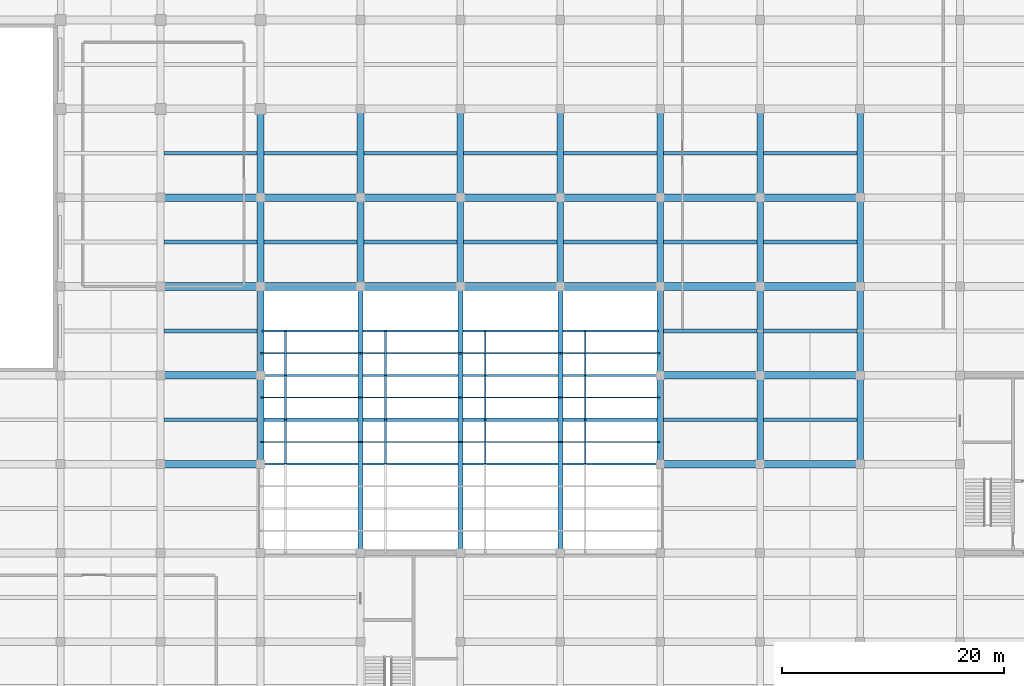
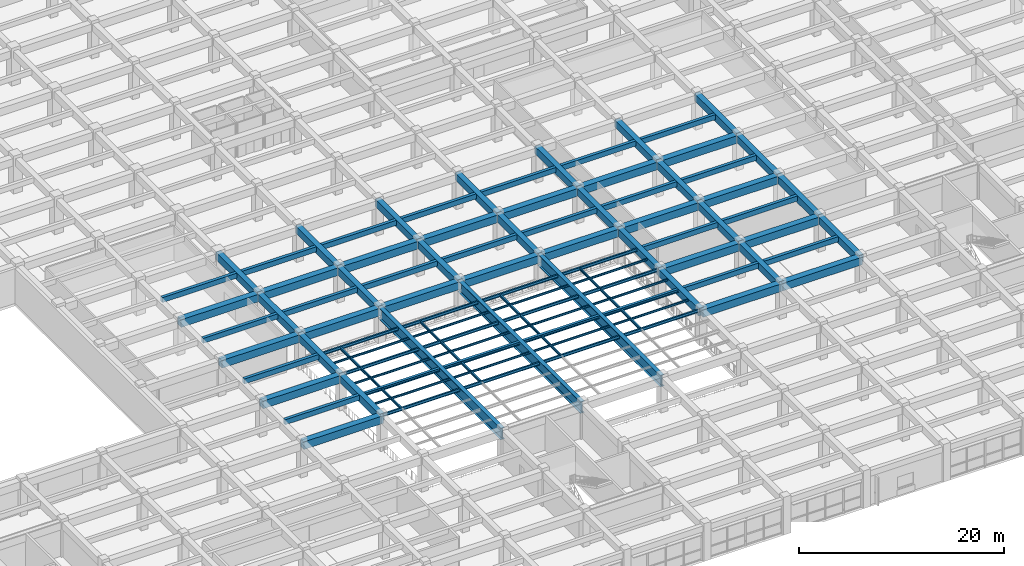
# One storey, part 12 of 50: 81 beams, 24 members.
"""IFC4 building model written with IfcOpenShell, lengths in metres."""

from ifc_helpers import new_model, si_unit, direction, frame, origin, origin_2d, place, context, subcontext, project, spatial, rectangle, i_section, extrude, material, material_profile, profile_set, type_object, element, save


model = new_model("IFC4")

# Units and contexts
model_context = context("Model", 3, precision=1e-05, world=origin(), true_north=direction((0.0, 1.0)))
body_context = subcontext(model_context, "Body", "Model", "MODEL_VIEW")
ifc_project = project(units=[si_unit("LENGTHUNIT", "METRE"), si_unit("AREAUNIT", "SQUARE_METRE"), si_unit("VOLUMEUNIT", "CUBIC_METRE"), si_unit("PLANEANGLEUNIT", "RADIAN"), si_unit("MASSUNIT", "GRAM", prefix="KILO")], contexts=[model_context])

# Site, building, storey
site_placement = place(None, origin())
site = spatial("IfcSite", under=ifc_project, at=site_placement, CompositionType="ELEMENT")
building_placement = place(site_placement, origin())
building = spatial("IfcBuilding", under=site, at=building_placement, Name="Zaverband Oceanarium and Marine Research Institute", CompositionType="ELEMENT")
storey_placement = place(building_placement, frame((0.0, 0.0, 9.0)))
storey = spatial("IfcBuildingStorey", under=building, at=storey_placement, Name="L02", CompositionType="ELEMENT", Elevation=9.0)

# Beams
ifc_material_1 = material(Name="Concrete C40/50", Category="concrete")
ifc_material_profile_1 = material_profile(ifc_material_1, rectangle(XDim=0.60009765625, YDim=0.85009765625, at=origin_2d()), Name="RC600x850")
ifc_profile_set_1 = profile_set([ifc_material_profile_1], Name="Concrete C40/50")
beam_type_1 = type_object("IfcBeamType", Name="BM-600x850", PredefinedType="BEAM", material=ifc_profile_set_1)
for number, where, z_axis, x_axis, name in (
    (1, (72.0, 32.0, 3.715087890625), (0.0, 1.0, 0.0), (-1.0, 0.0, 0.0), "Primary floor girder BM-600x850"),
    (2, (72.0, 40.0, 3.715087890625), (0.0, 1.0, 0.0), (-1.0, 0.0, 0.0), "Primary floor girder BM-600x850"),
    (3, (72.0, 48.0, 3.715087890625), (0.0, 1.0, 0.0), (-1.0, 0.0, 0.0), "Primary floor girder BM-600x850"),
    (4, (72.0, 56.0, 3.715087890625), (0.0, 1.0, 0.0), (-1.0, 0.0, 0.0), "Primary floor girder BM-600x850"),
    (5, (81.0, 48.0, 3.715087890625), (0.0, 1.0, 0.0), (-1.0, 0.0, 0.0), "Primary floor girder BM-600x850"),
    (6, (81.0, 56.0, 3.715087890625), (0.0, 1.0, 0.0), (-1.0, 0.0, 0.0), "Primary floor girder BM-600x850"),
    (7, (90.0, 48.0, 3.715087890625), (0.0, 1.0, 0.0), (-1.0, 0.0, 0.0), "Primary floor girder BM-600x850"),
    (8, (90.0, 56.0, 3.715087890625), (0.0, 1.0, 0.0), (-1.0, 0.0, 0.0), "Primary floor girder BM-600x850"),
    (9, (99.0, 48.0, 3.715087890625), (0.0, 1.0, 0.0), (-1.0, 0.0, 0.0), "Primary floor girder BM-600x850"),
    (10, (99.0, 56.0, 3.715087890625), (0.0, 1.0, 0.0), (-1.0, 0.0, 0.0), "Primary floor girder BM-600x850"),
    (11, (108.0, 32.0, 3.715087890625), (0.0, 1.0, 0.0), (-1.0, 0.0, 0.0), "Primary floor girder BM-600x850"),
    (12, (108.0, 40.0, 3.715087890625), (0.0, 1.0, 0.0), (-1.0, 0.0, 0.0), "Primary floor girder BM-600x850"),
    (13, (108.0, 48.0, 3.715087890625), (0.0, 1.0, 0.0), (-1.0, 0.0, 0.0), "Primary floor girder BM-600x850"),
    (14, (108.0, 56.0, 3.715087890625), (0.0, 1.0, 0.0), (-1.0, 0.0, 0.0), "Primary floor girder BM-600x850"),
    (15, (117.0, 32.0, 3.715087890625), (0.0, 1.0, 0.0), (-1.0, 0.0, 0.0), "Primary floor girder BM-600x850"),
    (16, (117.0, 40.0, 3.715087890625), (0.0, 1.0, 0.0), (-1.0, 0.0, 0.0), "Primary floor girder BM-600x850"),
    (17, (117.0, 48.0, 3.715087890625), (0.0, 1.0, 0.0), (-1.0, 0.0, 0.0), "Primary floor girder BM-600x850"),
    (18, (117.0, 56.0, 3.715087890625), (0.0, 1.0, 0.0), (-1.0, 0.0, 0.0), "Primary floor girder BM-600x850"),
    (19, (126.0, 32.0, 3.715087890625), (0.0, 1.0, 0.0), (-1.0, 0.0, 0.0), "Primary floor girder BM-600x850"),
    (20, (126.0, 40.0, 3.715087890625), (0.0, 1.0, 0.0), (-1.0, 0.0, 0.0), "Primary floor girder BM-600x850"),
    (21, (126.0, 48.0, 3.715087890625), (0.0, 1.0, 0.0), (-1.0, 0.0, 0.0), "Primary floor girder BM-600x850"),
    (22, (126.0, 56.0, 3.715087890625), (0.0, 1.0, 0.0), (-1.0, 0.0, 0.0), "Primary floor girder BM-600x850"),
):
    element("IfcBeam", number, at=place(storey_placement, frame(where, z_axis=z_axis, x_axis=x_axis)), inside=storey, type_object=beam_type_1, Name=name, PredefinedType="BEAM", context=body_context, shape_type="SweptSolid", body=[
        extrude(rectangle(XDim=0.60009765625, YDim=0.85009765625, at=origin_2d()), origin(), (0.0, 0.0, 1.0), 8.0),
    ])
ifc_material_profile_2 = material_profile(ifc_material_1, rectangle(XDim=0.699951171875, YDim=0.89990234375, at=origin_2d()), Name="RC700x900")
ifc_profile_set_2 = profile_set([ifc_material_profile_2], Name="Concrete C40/50")
beam_type_2 = type_object("IfcBeamType", Name="BM-700x900", PredefinedType="BEAM", material=ifc_profile_set_2)
for number, where, z_axis, x_axis, name in (
    (23, (63.0, 32.0, 3.68994140625), (1.0, 0.0, 0.0), (0.0, 1.0, 0.0), "Primary floor girder BM-700x900"),
    (24, (108.0, 32.0, 3.68994140625), (1.0, 0.0, 0.0), (0.0, 1.0, 0.0), "Primary floor girder BM-700x900"),
    (25, (117.0, 32.0, 3.68994140625), (1.0, 0.0, 0.0), (0.0, 1.0, 0.0), "Primary floor girder BM-700x900"),
    (26, (63.0, 40.0, 3.68994140625), (1.0, 0.0, 0.0), (0.0, 1.0, 0.0), "Primary floor girder BM-700x900"),
    (27, (108.0, 40.0, 3.68994140625), (1.0, 0.0, 0.0), (0.0, 1.0, 0.0), "Primary floor girder BM-700x900"),
    (28, (117.0, 40.0, 3.68994140625), (1.0, 0.0, 0.0), (0.0, 1.0, 0.0), "Primary floor girder BM-700x900"),
    (29, (63.0, 48.0, 3.68994140625), (1.0, 0.0, 0.0), (0.0, 1.0, 0.0), "Primary floor girder BM-700x900"),
    (30, (72.0, 48.0, 3.68994140625), (1.0, 0.0, 0.0), (0.0, 1.0, 0.0), "Primary floor girder BM-700x900"),
    (31, (81.0, 48.0, 3.68994140625), (1.0, 0.0, 0.0), (0.0, 1.0, 0.0), "Primary floor girder BM-700x900"),
    (32, (90.0, 48.0, 3.68994140625), (1.0, 0.0, 0.0), (0.0, 1.0, 0.0), "Primary floor girder BM-700x900"),
    (33, (99.0, 48.0, 3.68994140625), (1.0, 0.0, 0.0), (0.0, 1.0, 0.0), "Primary floor girder BM-700x900"),
    (34, (108.0, 48.0, 3.68994140625), (1.0, 0.0, 0.0), (0.0, 1.0, 0.0), "Primary floor girder BM-700x900"),
    (35, (117.0, 48.0, 3.68994140625), (1.0, 0.0, 0.0), (0.0, 1.0, 0.0), "Primary floor girder BM-700x900"),
    (36, (63.0, 56.0, 3.68994140625), (1.0, 0.0, 0.0), (0.0, 1.0, 0.0), "Primary floor girder BM-700x900"),
    (37, (72.0, 56.0, 3.68994140625), (1.0, 0.0, 0.0), (0.0, 1.0, 0.0), "Primary floor girder BM-700x900"),
    (38, (81.0, 56.0, 3.68994140625), (1.0, 0.0, 0.0), (0.0, 1.0, 0.0), "Primary floor girder BM-700x900"),
    (39, (90.0, 56.0, 3.68994140625), (1.0, 0.0, 0.0), (0.0, 1.0, 0.0), "Primary floor girder BM-700x900"),
    (40, (99.0, 56.0, 3.68994140625), (1.0, 0.0, 0.0), (0.0, 1.0, 0.0), "Primary floor girder BM-700x900"),
    (41, (108.0, 56.0, 3.68994140625), (1.0, 0.0, 0.0), (0.0, 1.0, 0.0), "Primary floor girder BM-700x900"),
    (42, (117.0, 56.0, 3.68994140625), (1.0, 0.0, 0.0), (0.0, 1.0, 0.0), "Primary floor girder BM-700x900"),
):
    element("IfcBeam", number, at=place(storey_placement, frame(where, z_axis=z_axis, x_axis=x_axis)), inside=storey, type_object=beam_type_2, Name=name, PredefinedType="BEAM", context=body_context, shape_type="SweptSolid", body=[
        extrude(rectangle(XDim=0.699951171875, YDim=0.89990234375, at=origin_2d()), origin(), (0.0, 0.0, 1.0), 9.0),
    ])
ifc_material_profile_3 = material_profile(ifc_material_1, rectangle(XDim=0.35009765625, YDim=0.60009765625, at=origin_2d()), Name="RC350x600")
ifc_profile_set_3 = profile_set([ifc_material_profile_3], Name="Concrete C40/50")
beam_type_3 = type_object("IfcBeamType", Name="JST-350x600", PredefinedType="JOIST", material=ifc_profile_set_3)
for number, where, z_axis, x_axis, name in (
    (43, (63.300048828125, 36.0, 3.840087890625), (1.0, 0.0, 0.0), (0.0, 1.0, 0.0), "Secondary floor joist JST-350x600"),
    (44, (63.300048828125, 44.0, 3.840087890625), (1.0, 0.0, 0.0), (0.0, 1.0, 0.0), "Secondary floor joist JST-350x600"),
    (45, (63.300048828125, 52.0, 3.840087890625), (1.0, 0.0, 0.0), (0.0, 1.0, 0.0), "Secondary floor joist JST-350x600"),
    (46, (63.300048828125, 60.0, 3.840087890625), (1.0, 0.0, 0.0), (0.0, 1.0, 0.0), "Secondary floor joist JST-350x600"),
    (47, (72.300048828125, 52.0, 3.840087890625), (1.0, 0.0, 0.0), (0.0, 1.0, 0.0), "Secondary floor joist JST-350x600"),
    (48, (72.300048828125, 60.0, 3.840087890625), (1.0, 0.0, 0.0), (0.0, 1.0, 0.0), "Secondary floor joist JST-350x600"),
    (49, (81.300048828125, 52.0, 3.840087890625), (1.0, 0.0, 0.0), (0.0, 1.0, 0.0), "Secondary floor joist JST-350x600"),
    (50, (81.300048828125, 60.0, 3.840087890625), (1.0, 0.0, 0.0), (0.0, 1.0, 0.0), "Secondary floor joist JST-350x600"),
    (51, (90.300048828125, 52.0, 3.840087890625), (1.0, 0.0, 0.0), (0.0, 1.0, 0.0), "Secondary floor joist JST-350x600"),
    (52, (90.300048828125, 60.0, 3.840087890625), (1.0, 0.0, 0.0), (0.0, 1.0, 0.0), "Secondary floor joist JST-350x600"),
    (53, (99.300048828125, 52.0, 3.840087890625), (1.0, 0.0, 0.0), (0.0, 1.0, 0.0), "Secondary floor joist JST-350x600"),
    (54, (99.300048828125, 60.0, 3.840087890625), (1.0, 0.0, 0.0), (0.0, 1.0, 0.0), "Secondary floor joist JST-350x600"),
    (55, (108.300048828125, 36.0, 3.840087890625), (1.0, 0.0, 0.0), (0.0, 1.0, 0.0), "Secondary floor joist JST-350x600"),
    (56, (108.300048828125, 44.0, 3.840087890625), (1.0, 0.0, 0.0), (0.0, 1.0, 0.0), "Secondary floor joist JST-350x600"),
    (57, (108.300048828125, 52.0, 3.840087890625), (1.0, 0.0, 0.0), (0.0, 1.0, 0.0), "Secondary floor joist JST-350x600"),
    (58, (108.300048828125, 60.0, 3.840087890625), (1.0, 0.0, 0.0), (0.0, 1.0, 0.0), "Secondary floor joist JST-350x600"),
    (59, (117.300048828125, 36.0, 3.840087890625), (1.0, 0.0, 0.0), (0.0, 1.0, 0.0), "Secondary floor joist JST-350x600"),
    (60, (117.300048828125, 44.0, 3.840087890625), (1.0, 0.0, 0.0), (0.0, 1.0, 0.0), "Secondary floor joist JST-350x600"),
    (61, (117.300048828125, 52.0, 3.840087890625), (1.0, 0.0, 0.0), (0.0, 1.0, 0.0), "Secondary floor joist JST-350x600"),
    (62, (117.300048828125, 60.0, 3.840087890625), (1.0, 0.0, 0.0), (0.0, 1.0, 0.0), "Secondary floor joist JST-350x600"),
):
    element("IfcBeam", number, at=place(storey_placement, frame(where, z_axis=z_axis, x_axis=x_axis)), inside=storey, type_object=beam_type_3, Name=name, PredefinedType="JOIST", context=body_context, shape_type="SweptSolid", body=[
        extrude(rectangle(XDim=0.35009765625, YDim=0.60009765625, at=origin_2d()), origin(), (0.0, 0.0, 1.0), 8.39990234375),
    ])
ifc_material_2 = material(Name="Steel S355", Category="steel")
ifc_material_profile_4 = material_profile(ifc_material_2, i_section(OverallWidth=0.449951171875, OverallDepth=1.35009765625, WebThickness=0.01806640625, FlangeThickness=0.031982421875, FilletRadius=0.02392578125, at=origin_2d()), Name="PG1350x450")
ifc_profile_set_4 = profile_set([ifc_material_profile_4], Name="Steel S355")
beam_type_4 = type_object("IfcBeamType", Name="LG-PG1350", PredefinedType="BEAM", material=ifc_profile_set_4)
for number, where, z_axis, x_axis, name in (
    (63, (81.0, 24.0, 3.465087890625), (0.0, 1.0, 0.0), (-1.0, 0.0, 0.0), "Long-span steel plate girder LG-PG1350"),
    (64, (90.0, 24.0, 3.465087890625), (0.0, 1.0, 0.0), (-1.0, 0.0, 0.0), "Long-span steel plate girder LG-PG1350"),
    (65, (99.0, 24.0, 3.465087890625), (0.0, 1.0, 0.0), (-1.0, 0.0, 0.0), "Long-span steel plate girder LG-PG1350"),
):
    element("IfcBeam", number, at=place(storey_placement, frame(where, z_axis=z_axis, x_axis=x_axis)), inside=storey, type_object=beam_type_4, Name=name, PredefinedType="BEAM", context=body_context, shape_type="SweptSolid", body=[
        extrude(i_section(OverallWidth=0.449951171875, OverallDepth=1.35009765625, WebThickness=0.01806640625, FlangeThickness=0.031982421875, FilletRadius=0.02392578125, at=origin_2d()), origin(), (0.0, 0.0, 1.0), 24.0),
    ])

# Members
ifc_material_profile_5 = material_profile(ifc_material_2, i_section(OverallWidth=0.1201171875, OverallDepth=0.239990234375, WebThickness=0.006103515625, FlangeThickness=0.009765625, FilletRadius=0.014892578125, at=origin_2d()), Name="IPE240")
ifc_profile_set_5 = profile_set([ifc_material_profile_5], Name="Steel S355")
member_type_1 = type_object("IfcMemberType", Name="PUR-IPE240", PredefinedType="PURLIN", material=ifc_profile_set_5)
for number, where, z_axis, x_axis, name in (
    (66, (72.0, 34.0, 4.0), (1.0, 0.0, 0.0), (0.0, 1.0, 0.0), "Screen / canopy purlin PUR-IPE240"),
    (67, (81.0, 34.0, 4.0), (1.0, 0.0, 0.0), (0.0, 1.0, 0.0), "Screen / canopy purlin PUR-IPE240"),
    (68, (90.0, 34.0, 4.0), (1.0, 0.0, 0.0), (0.0, 1.0, 0.0), "Screen / canopy purlin PUR-IPE240"),
    (69, (99.0, 34.0, 4.0), (1.0, 0.0, 0.0), (0.0, 1.0, 0.0), "Screen / canopy purlin PUR-IPE240"),
    (70, (72.0, 38.0, 4.0), (1.0, 0.0, 0.0), (0.0, 1.0, 0.0), "Screen / canopy purlin PUR-IPE240"),
    (71, (81.0, 38.0, 4.0), (1.0, 0.0, 0.0), (0.0, 1.0, 0.0), "Screen / canopy purlin PUR-IPE240"),
    (72, (90.0, 38.0, 4.0), (1.0, 0.0, 0.0), (0.0, 1.0, 0.0), "Screen / canopy purlin PUR-IPE240"),
    (73, (99.0, 38.0, 4.0), (1.0, 0.0, 0.0), (0.0, 1.0, 0.0), "Screen / canopy purlin PUR-IPE240"),
    (74, (72.0, 42.0, 4.0), (1.0, 0.0, 0.0), (0.0, 1.0, 0.0), "Screen / canopy purlin PUR-IPE240"),
    (75, (81.0, 42.0, 4.0), (1.0, 0.0, 0.0), (0.0, 1.0, 0.0), "Screen / canopy purlin PUR-IPE240"),
    (76, (90.0, 42.0, 4.0), (1.0, 0.0, 0.0), (0.0, 1.0, 0.0), "Screen / canopy purlin PUR-IPE240"),
    (77, (99.0, 42.0, 4.0), (1.0, 0.0, 0.0), (0.0, 1.0, 0.0), "Screen / canopy purlin PUR-IPE240"),
):
    element("IfcMember", number, at=place(storey_placement, frame(where, z_axis=z_axis, x_axis=x_axis)), inside=storey, type_object=member_type_1, Name=name, PredefinedType="PURLIN", context=body_context, shape_type="SweptSolid", body=[
        extrude(i_section(OverallWidth=0.1201171875, OverallDepth=0.239990234375, WebThickness=0.006103515625, FlangeThickness=0.009765625, FilletRadius=0.014892578125, at=origin_2d()), origin(), (0.0, 0.0, 1.0), 9.0),
    ])
ifc_material_profile_6 = material_profile(ifc_material_2, i_section(OverallWidth=0.14990234375, OverallDepth=0.300048828125, WebThickness=0.007080078125, FlangeThickness=0.0107421875, FilletRadius=0.014892578125, at=origin_2d()), Name="IPE300")
ifc_profile_set_6 = profile_set([ifc_material_profile_6], Name="Steel S355")
member_type_2 = type_object("IfcMemberType", Name="RAF-IPE300", PredefinedType="RAFTER", material=ifc_profile_set_6)
for number, where, z_axis, x_axis, name in (
    (78, (74.25, 32.0, 3.919921875), (0.0, 1.0, 0.0), (-1.0, 0.0, 0.0), "Canopy / skylight rafter RAF-IPE300"),
    (79, (83.25, 32.0, 3.919921875), (0.0, 1.0, 0.0), (-1.0, 0.0, 0.0), "Canopy / skylight rafter RAF-IPE300"),
    (80, (92.25, 32.0, 3.919921875), (0.0, 1.0, 0.0), (-1.0, 0.0, 0.0), "Canopy / skylight rafter RAF-IPE300"),
    (81, (101.25, 32.0, 3.919921875), (0.0, 1.0, 0.0), (-1.0, 0.0, 0.0), "Canopy / skylight rafter RAF-IPE300"),
    (82, (74.25, 36.0, 3.919921875), (0.0, 1.0, 0.0), (-1.0, 0.0, 0.0), "Canopy / skylight rafter RAF-IPE300"),
    (83, (83.25, 36.0, 3.919921875), (0.0, 1.0, 0.0), (-1.0, 0.0, 0.0), "Canopy / skylight rafter RAF-IPE300"),
    (84, (92.25, 36.0, 3.919921875), (0.0, 1.0, 0.0), (-1.0, 0.0, 0.0), "Canopy / skylight rafter RAF-IPE300"),
    (85, (101.25, 36.0, 3.919921875), (0.0, 1.0, 0.0), (-1.0, 0.0, 0.0), "Canopy / skylight rafter RAF-IPE300"),
    (86, (74.25, 40.0, 3.919921875), (0.0, 1.0, 0.0), (-1.0, 0.0, 0.0), "Canopy / skylight rafter RAF-IPE300"),
    (87, (83.25, 40.0, 3.919921875), (0.0, 1.0, 0.0), (-1.0, 0.0, 0.0), "Canopy / skylight rafter RAF-IPE300"),
    (88, (92.25, 40.0, 3.919921875), (0.0, 1.0, 0.0), (-1.0, 0.0, 0.0), "Canopy / skylight rafter RAF-IPE300"),
    (89, (101.25, 40.0, 3.919921875), (0.0, 1.0, 0.0), (-1.0, 0.0, 0.0), "Canopy / skylight rafter RAF-IPE300"),
):
    element("IfcMember", number, at=place(storey_placement, frame(where, z_axis=z_axis, x_axis=x_axis)), inside=storey, type_object=member_type_2, Name=name, PredefinedType="RAFTER", context=body_context, shape_type="SweptSolid", body=[
        extrude(i_section(OverallWidth=0.14990234375, OverallDepth=0.300048828125, WebThickness=0.007080078125, FlangeThickness=0.0107421875, FilletRadius=0.014892578125, at=origin_2d()), origin(), (0.0, 0.0, 1.0), 4.0),
    ])

# Beams
ifc_material_profile_7 = material_profile(ifc_material_2, i_section(OverallWidth=0.300048828125, OverallDepth=0.360107421875, WebThickness=0.012451171875, FlangeThickness=0.0224609375, FilletRadius=0.027099609375, at=origin_2d()), Name="HEB360")
ifc_profile_set_7 = profile_set([ifc_material_profile_7], Name="Steel S355")
beam_type_5 = type_object("IfcBeamType", Name="SB-HEB360", PredefinedType="BEAM", material=ifc_profile_set_7)
beam_1_placement = place(storey_placement, frame((72.14990234375, 36.0, 3.9599609375), z_axis=(1.0, 0.0, 0.0), x_axis=(0.0, 1.0, 0.0)))
element("IfcBeam", 90, at=beam_1_placement, inside=storey, type_object=beam_type_5, Name="Atrium skylight support girder SB-HEB360", PredefinedType="BEAM", context=body_context, shape_type="SweptSolid", body=[
    extrude(i_section(OverallWidth=0.300048828125, OverallDepth=0.360107421875, WebThickness=0.012451171875, FlangeThickness=0.0224609375, FilletRadius=0.027099609375, at=origin_2d()), origin(), (0.0, 0.0, 1.0), 8.625),
])
for number, where, z_axis, x_axis, name in (
    (91, (81.22509765625, 36.0, 3.9599609375), (1.0, 0.0, 0.0), (0.0, 1.0, 0.0), "Atrium skylight support girder SB-HEB360"),
    (92, (90.22509765625, 36.0, 3.9599609375), (1.0, 0.0, 0.0), (0.0, 1.0, 0.0), "Atrium skylight support girder SB-HEB360"),
):
    element("IfcBeam", number, at=place(storey_placement, frame(where, z_axis=z_axis, x_axis=x_axis)), inside=storey, type_object=beam_type_5, Name=name, PredefinedType="BEAM", context=body_context, shape_type="SweptSolid", body=[
        extrude(i_section(OverallWidth=0.300048828125, OverallDepth=0.360107421875, WebThickness=0.012451171875, FlangeThickness=0.0224609375, FilletRadius=0.027099609375, at=origin_2d()), origin(), (0.0, 0.0, 1.0), 8.5498046875),
    ])
beam_2_placement = place(storey_placement, frame((99.22509765625, 36.0, 3.9599609375), z_axis=(1.0, 0.0, 0.0), x_axis=(0.0, 1.0, 0.0)))
element("IfcBeam", 93, at=beam_2_placement, inside=storey, type_object=beam_type_5, Name="Atrium skylight support girder SB-HEB360", PredefinedType="BEAM", context=body_context, shape_type="SweptSolid", body=[
    extrude(i_section(OverallWidth=0.300048828125, OverallDepth=0.360107421875, WebThickness=0.012451171875, FlangeThickness=0.0224609375, FilletRadius=0.027099609375, at=origin_2d()), origin(), (0.0, 0.0, 1.0), 8.625),
])
ifc_material_profile_8 = material_profile(ifc_material_2, i_section(OverallWidth=0.169921875, OverallDepth=0.360107421875, WebThickness=0.008056640625, FlangeThickness=0.0126953125, FilletRadius=0.01806640625, at=origin_2d()), Name="IPE360")
ifc_profile_set_8 = profile_set([ifc_material_profile_8], Name="Steel S355")
beam_type_6 = type_object("IfcBeamType", Name="SB-IPE360", PredefinedType="JOIST", material=ifc_profile_set_8)
beam_3_placement = place(storey_placement, frame((72.14990234375, 32.0, 3.9599609375), z_axis=(1.0, 0.0, 0.0), x_axis=(0.0, 1.0, 0.0)))
element("IfcBeam", 94, at=beam_3_placement, inside=storey, type_object=beam_type_6, Name="Atrium secondary steel joist SB-IPE360", PredefinedType="JOIST", context=body_context, shape_type="SweptSolid", body=[
    extrude(i_section(OverallWidth=0.169921875, OverallDepth=0.360107421875, WebThickness=0.008056640625, FlangeThickness=0.0126953125, FilletRadius=0.01806640625, at=origin_2d()), origin(), (0.0, 0.0, 1.0), 8.625),
])
for number, where, z_axis, x_axis, name in (
    (95, (81.22509765625, 32.0, 3.9599609375), (1.0, 0.0, 0.0), (0.0, 1.0, 0.0), "Atrium secondary steel joist SB-IPE360"),
    (96, (90.22509765625, 32.0, 3.9599609375), (1.0, 0.0, 0.0), (0.0, 1.0, 0.0), "Atrium secondary steel joist SB-IPE360"),
):
    element("IfcBeam", number, at=place(storey_placement, frame(where, z_axis=z_axis, x_axis=x_axis)), inside=storey, type_object=beam_type_6, Name=name, PredefinedType="JOIST", context=body_context, shape_type="SweptSolid", body=[
        extrude(i_section(OverallWidth=0.169921875, OverallDepth=0.360107421875, WebThickness=0.008056640625, FlangeThickness=0.0126953125, FilletRadius=0.01806640625, at=origin_2d()), origin(), (0.0, 0.0, 1.0), 8.5498046875),
    ])
for number, where, z_axis, x_axis, name in (
    (97, (99.22509765625, 32.0, 3.9599609375), (1.0, 0.0, 0.0), (0.0, 1.0, 0.0), "Atrium secondary steel joist SB-IPE360"),
    (98, (72.14990234375, 40.0, 3.9599609375), (1.0, 0.0, 0.0), (0.0, 1.0, 0.0), "Atrium secondary steel joist SB-IPE360"),
):
    element("IfcBeam", number, at=place(storey_placement, frame(where, z_axis=z_axis, x_axis=x_axis)), inside=storey, type_object=beam_type_6, Name=name, PredefinedType="JOIST", context=body_context, shape_type="SweptSolid", body=[
        extrude(i_section(OverallWidth=0.169921875, OverallDepth=0.360107421875, WebThickness=0.008056640625, FlangeThickness=0.0126953125, FilletRadius=0.01806640625, at=origin_2d()), origin(), (0.0, 0.0, 1.0), 8.625),
    ])
for number, where, z_axis, x_axis, name in (
    (99, (81.22509765625, 40.0, 3.9599609375), (1.0, 0.0, 0.0), (0.0, 1.0, 0.0), "Atrium secondary steel joist SB-IPE360"),
    (100, (90.22509765625, 40.0, 3.9599609375), (1.0, 0.0, 0.0), (0.0, 1.0, 0.0), "Atrium secondary steel joist SB-IPE360"),
):
    element("IfcBeam", number, at=place(storey_placement, frame(where, z_axis=z_axis, x_axis=x_axis)), inside=storey, type_object=beam_type_6, Name=name, PredefinedType="JOIST", context=body_context, shape_type="SweptSolid", body=[
        extrude(i_section(OverallWidth=0.169921875, OverallDepth=0.360107421875, WebThickness=0.008056640625, FlangeThickness=0.0126953125, FilletRadius=0.01806640625, at=origin_2d()), origin(), (0.0, 0.0, 1.0), 8.5498046875),
    ])
for number, where, z_axis, x_axis, name in (
    (101, (99.22509765625, 40.0, 3.9599609375), (1.0, 0.0, 0.0), (0.0, 1.0, 0.0), "Atrium secondary steel joist SB-IPE360"),
    (102, (72.14990234375, 44.0, 3.9599609375), (1.0, 0.0, 0.0), (0.0, 1.0, 0.0), "Atrium secondary steel joist SB-IPE360"),
):
    element("IfcBeam", number, at=place(storey_placement, frame(where, z_axis=z_axis, x_axis=x_axis)), inside=storey, type_object=beam_type_6, Name=name, PredefinedType="JOIST", context=body_context, shape_type="SweptSolid", body=[
        extrude(i_section(OverallWidth=0.169921875, OverallDepth=0.360107421875, WebThickness=0.008056640625, FlangeThickness=0.0126953125, FilletRadius=0.01806640625, at=origin_2d()), origin(), (0.0, 0.0, 1.0), 8.625),
    ])
for number, where, z_axis, x_axis, name in (
    (103, (81.22509765625, 44.0, 3.9599609375), (1.0, 0.0, 0.0), (0.0, 1.0, 0.0), "Atrium secondary steel joist SB-IPE360"),
    (104, (90.22509765625, 44.0, 3.9599609375), (1.0, 0.0, 0.0), (0.0, 1.0, 0.0), "Atrium secondary steel joist SB-IPE360"),
):
    element("IfcBeam", number, at=place(storey_placement, frame(where, z_axis=z_axis, x_axis=x_axis)), inside=storey, type_object=beam_type_6, Name=name, PredefinedType="JOIST", context=body_context, shape_type="SweptSolid", body=[
        extrude(i_section(OverallWidth=0.169921875, OverallDepth=0.360107421875, WebThickness=0.008056640625, FlangeThickness=0.0126953125, FilletRadius=0.01806640625, at=origin_2d()), origin(), (0.0, 0.0, 1.0), 8.5498046875),
    ])
beam_4_placement = place(storey_placement, frame((99.22509765625, 44.0, 3.9599609375), z_axis=(1.0, 0.0, 0.0), x_axis=(0.0, 1.0, 0.0)))
element("IfcBeam", 105, at=beam_4_placement, inside=storey, type_object=beam_type_6, Name="Atrium secondary steel joist SB-IPE360", PredefinedType="JOIST", context=body_context, shape_type="SweptSolid", body=[
    extrude(i_section(OverallWidth=0.169921875, OverallDepth=0.360107421875, WebThickness=0.008056640625, FlangeThickness=0.0126953125, FilletRadius=0.01806640625, at=origin_2d()), origin(), (0.0, 0.0, 1.0), 8.625),
])

save(model, "model.ifc")
